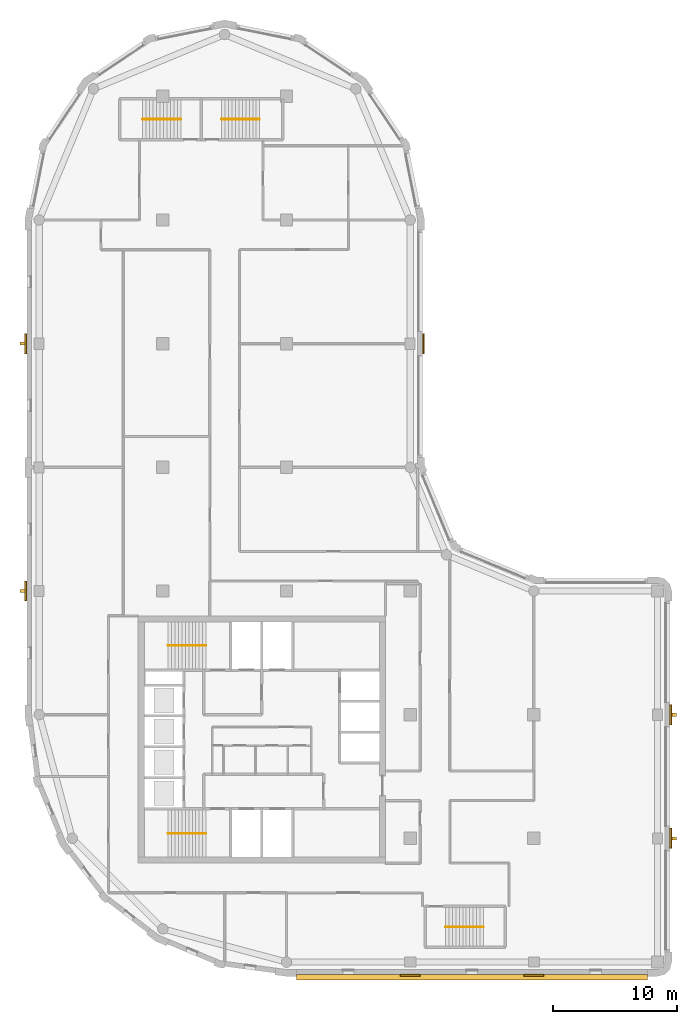
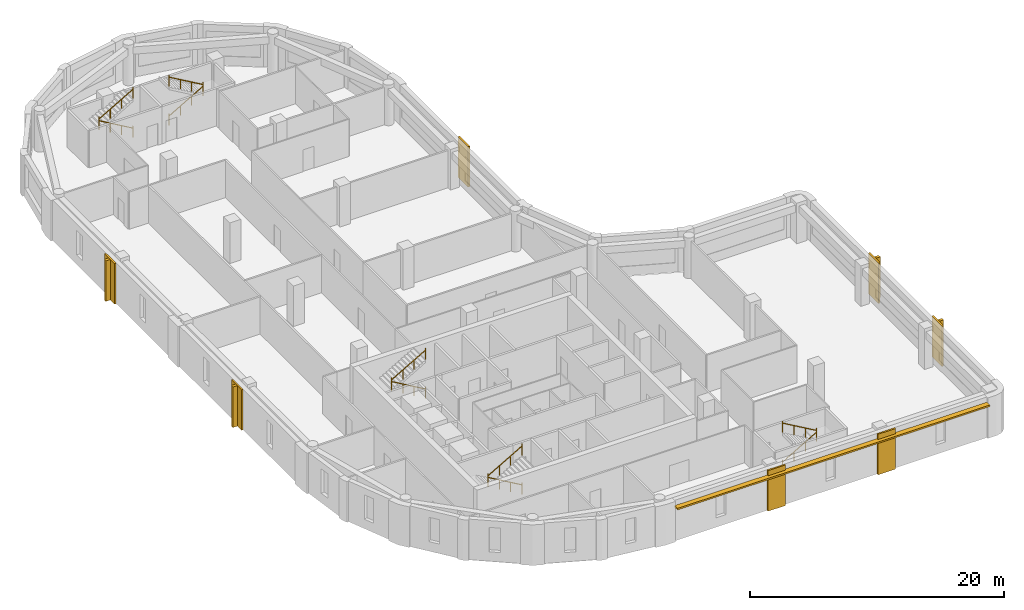
# One storey, part 8 of 9: 10 railings, 7 coverings, 5 shading devices.
"""IFC4 building model written with IfcOpenShell, lengths in metres."""

import ifcopenshell
import ifcopenshell.guid

model = None  # the IFC model being written
_history = None  # IfcOwnerHistory: only IFC2X3 demands one
_inside = {}  # id of a spatial element -> (the spatial element, [elements in it])
_under = {}  # id of a project, library or spatial element -> (it, [spatial elements below it])
_declared = {}  # id of a project -> (the project, [libraries it declares])
_typed = {}  # id of a type object -> (the type object, [elements of that type])
_made_of = {}  # id of a material, layer set ... -> (it, [elements and type objects made of it])


def new_model(schema):
    """Start an empty IFC model of exactly this schema.

    Asked for "IFC4X3", IfcOpenShell would pick the latest addendum, in which some entities
    have other attributes; the version numbers below select the first issue.
    IFC2X3 requires an IfcOwnerHistory on every rooted entity: one is made here for all.
    """
    global model, _history
    if schema == "IFC4X3":
        model = ifcopenshell.file(schema_version=(4, 3, 0, 0))
    else:
        model = ifcopenshell.file(schema=schema)
    _inside.clear()
    _under.clear()
    _declared.clear()
    _typed.clear()
    _made_of.clear()
    _history = None
    if model.schema == "IFC2X3":
        org = make("IfcOrganization", Name="unknown")
        user = make(
            "IfcPersonAndOrganization",
            ThePerson=make("IfcPerson", FamilyName="unknown"),
            TheOrganization=org,
        )
        app = make(
            "IfcApplication",
            ApplicationDeveloper=org,
            Version="unknown",
            ApplicationFullName="unknown",
            ApplicationIdentifier="unknown",
        )
        _history = make(
            "IfcOwnerHistory",
            OwningUser=user,
            OwningApplication=app,
            ChangeAction="ADDED",
            CreationDate=0,
        )
    return model


def make(cls, **values):
    """One entity of the class cls with the attributes given. An attribute that is None is left unset."""
    return model.create_entity(
        cls, **{name: value for name, value in values.items() if value is not None}
    )


def rooted(cls, **values):
    """An entity with a GlobalId (a new one), such as an element, a storey or a relation."""
    return make(cls, GlobalId=ifcopenshell.guid.new(), OwnerHistory=_history, **values)


def si_unit(unit_type, name, prefix=None):
    """IfcSIUnit, for example si_unit("LENGTHUNIT", "METRE", prefix="MILLI")."""
    return make("IfcSIUnit", UnitType=unit_type, Prefix=prefix, Name=name)


def assignment(units):
    """IfcUnitAssignment: the units of a project."""
    return None if units is None else make("IfcUnitAssignment", Units=units)


def point(xyz):
    """IfcCartesianPoint."""
    return None if xyz is None else make("IfcCartesianPoint", Coordinates=xyz)


def direction(xyz):
    """IfcDirection."""
    return None if xyz is None else make("IfcDirection", DirectionRatios=xyz)


def frame(location, z_axis=None, x_axis=None):
    """IfcAxis2Placement3D, a coordinate frame: its origin and axes. An axis left out is left unset."""
    return make(
        "IfcAxis2Placement3D",
        Location=point(location),
        Axis=direction(z_axis),
        RefDirection=direction(x_axis),
    )


def frame_2d(location, x_axis=None):
    """IfcAxis2Placement2D, a coordinate frame in the plane: its origin and x axis."""
    return make(
        "IfcAxis2Placement2D", Location=point(location), RefDirection=direction(x_axis)
    )


def origin():
    """The frame at (0, 0, 0) with its axes left unset."""
    return frame((0.0, 0.0, 0.0))


def origin_2d():
    """The frame at (0, 0) in the plane with its x axis left unset."""
    return frame_2d((0.0, 0.0))


def place(relative_to, where):
    """IfcLocalPlacement: puts the frame where relative to a parent placement (None: the world)."""
    return make(
        "IfcLocalPlacement", PlacementRelTo=relative_to, RelativePlacement=where
    )


def context(
    kind, dimensions, precision=None, world=None, true_north=None, identifier=None
):
    """IfcGeometricRepresentationContext, for example the 3D "Model" context."""
    return make(
        "IfcGeometricRepresentationContext",
        ContextIdentifier=identifier,
        ContextType=kind,
        CoordinateSpaceDimension=dimensions,
        Precision=precision,
        WorldCoordinateSystem=world,
        TrueNorth=true_north,
    )


def subcontext(parent, identifier, kind, view, scale=None):
    """IfcGeometricRepresentationSubContext, for example "Body" below "Model"."""
    return make(
        "IfcGeometricRepresentationSubContext",
        ContextIdentifier=identifier,
        ContextType=kind,
        ParentContext=parent,
        TargetScale=scale,
        TargetView=view,
    )


def project(units=None, contexts=None):
    """IfcProject with its units and contexts."""
    return rooted(
        "IfcProject",
        Name="project",
        RepresentationContexts=contexts,
        UnitsInContext=assignment(units),
    )


def spatial(cls, under=None, at=None, **own):
    """A site, building, storey or space (cls), placed at a placement, below another one or the project."""
    s = rooted(cls, ObjectPlacement=at, **own)
    if under is not None:
        _under.setdefault(under.id(), (under, []))[1].append(s)
    return s


def polyline(points):
    """IfcPolyline through the points."""
    return make("IfcPolyline", Points=[point(p) for p in points])


def profile(cls, at=None, kind="AREA", **sizes):
    """A parametric profile (cls). Its sizes go by their IFC names, for example OverallWidth=200.0."""
    return make(cls, ProfileType=kind, Position=at, **sizes)


def rectangle(**sizes):
    """IfcRectangleProfileDef."""
    return profile("IfcRectangleProfileDef", **sizes)


def circle(**sizes):
    """IfcCircleProfileDef."""
    return profile("IfcCircleProfileDef", **sizes)


def outline(outer, holes=None, kind="AREA"):
    """IfcArbitraryClosedProfileDef: a profile drawn as a closed curve; with holes, ...WithVoids."""
    if holes is None:
        return make("IfcArbitraryClosedProfileDef", ProfileType=kind, OuterCurve=outer)
    return make(
        "IfcArbitraryProfileDefWithVoids",
        ProfileType=kind,
        OuterCurve=outer,
        InnerCurves=holes,
    )


def extrude(swept, where, along, depth):
    """IfcExtrudedAreaSolid: the profile swept, set in the frame where, extruded along a direction by depth."""
    return make(
        "IfcExtrudedAreaSolid",
        SweptArea=swept,
        Position=where,
        ExtrudedDirection=direction(along),
        Depth=depth,
    )


def shape(context_of_items, identifier, shape_type, items):
    """IfcShapeRepresentation: the items that make up one representation, for example the "Body"."""
    return make(
        "IfcShapeRepresentation",
        ContextOfItems=context_of_items,
        RepresentationIdentifier=identifier,
        RepresentationType=shape_type,
        Items=items,
    )


def material(Name=None, Category=None):
    """IfcMaterial."""
    return make("IfcMaterial", Name=Name, Category=Category)


def layer(
    of_material, thickness, ventilated=None, Name=None, Category=None, Priority=None
):
    """IfcMaterialLayer: one layer of a wall or slab, of a material (None: an air gap)."""
    return make(
        "IfcMaterialLayer",
        Material=of_material,
        LayerThickness=thickness,
        IsVentilated=ventilated,
        Name=Name,
        Category=Category,
        Priority=Priority,
    )


def layer_set(layers, Name=None):
    """IfcMaterialLayerSet."""
    return make("IfcMaterialLayerSet", MaterialLayers=layers, LayerSetName=Name)


def made_of(thing, what):
    """Note that an element or type object is made of a material, layer set ...; save() writes the relation."""
    if what is not None:
        _made_of.setdefault(what.id(), (what, []))[1].append(thing)
    return thing


def type_object(cls, material=None, **own):
    """A type object (cls), such as IfcWallType, which elements share."""
    return made_of(rooted(cls, **own), material)


def element(
    cls,
    number,
    at=None,
    inside=None,
    cuts=None,
    type_object=None,
    material=None,
    context=None,
    identifier="Body",
    shape_type=None,
    held_by="IfcProductDefinitionShape",
    body=None,
    shapes=None,
    **own,
):
    """One element of the class cls, such as IfcWall. Its Tag is "e" and its number.

    at: its placement. inside: the storey or other place that contains it. cuts: it is an
    opening in that element (IfcRelVoidsElement). A single representation is given by context,
    identifier, shape_type and body (its items); several are given by shapes. held_by: the class
    of the entity that holds the representations. save() writes the other relations.
    """
    e = rooted(cls, Tag="e%d" % number, ObjectPlacement=at, **own)
    if body is not None:
        shapes = [shape(context, identifier, shape_type, body)]
    if shapes is not None:
        e.Representation = make(held_by, Representations=shapes)
    if inside is not None:
        _inside.setdefault(inside.id(), (inside, []))[1].append(e)
    if cuts is not None:
        rooted(
            "IfcRelVoidsElement", RelatingBuildingElement=cuts, RelatedOpeningElement=e
        )
    if type_object is not None:
        _typed.setdefault(type_object.id(), (type_object, []))[1].append(e)
    return made_of(e, material)


def aggregate(whole, parts):
    """IfcRelAggregates: a whole, such as a stair, and the parts it consists of."""
    return rooted("IfcRelAggregates", RelatingObject=whole, RelatedObjects=parts)


def save(model, path):
    """Write the relations noted so far, then the file.

    IfcRelAggregates (storeys below a building ...), IfcRelContainedInSpatialStructure (elements
    in a storey), IfcRelDefinesByType, IfcRelAssociatesMaterial and IfcRelDeclares: one each for
    every whole, place, type object, material and project.
    """
    for whole, parts in _under.values():
        aggregate(whole, parts)
    for where, things in _inside.values():
        rooted(
            "IfcRelContainedInSpatialStructure",
            RelatedElements=things,
            RelatingStructure=where,
        )
    for kind, things in _typed.values():
        rooted("IfcRelDefinesByType", RelatedObjects=things, RelatingType=kind)
    for what, things in _made_of.values():
        rooted("IfcRelAssociatesMaterial", RelatedObjects=things, RelatingMaterial=what)
    for by, libraries in _declared.values():
        rooted("IfcRelDeclares", RelatingContext=by, RelatedDefinitions=libraries)
    model.write(path)


model = new_model("IFC4")

# Units and contexts
model_context = context("Model", 3, precision=1e-05, world=origin(), true_north=direction((0.0, 1.0)))
body_context = subcontext(model_context, "Body", "Model", "MODEL_VIEW")
ifc_project = project(units=[si_unit("LENGTHUNIT", "METRE"), si_unit("AREAUNIT", "SQUARE_METRE"), si_unit("VOLUMEUNIT", "CUBIC_METRE"), si_unit("PLANEANGLEUNIT", "RADIAN"), si_unit("MASSUNIT", "GRAM", prefix="KILO")], contexts=[model_context])

# Site, building, storey
site_placement = place(None, origin())
site = spatial("IfcSite", under=ifc_project, at=site_placement, CompositionType="ELEMENT")
building_placement = place(site_placement, origin())
building = spatial("IfcBuilding", under=site, at=building_placement, Name="Qaws Garden Tower", CompositionType="ELEMENT")
storey_placement = place(building_placement, frame((0.0, 0.0, 263.10009765625)))
storey = spatial("IfcBuildingStorey", under=building, at=storey_placement, Name="L63", CompositionType="ELEMENT", Elevation=263.10009765625)

# Coverings
ifc_material_1 = material(Name="Clay facing brick masonry", Category="masonry")
ifc_layer_1 = layer(ifc_material_1, 0.14990234375)
ifc_layer_set_1 = layer_set([ifc_layer_1], Name="Clay facing brick masonry")
covering_type = type_object("IfcCoveringType", Name="Brick pilaster facing 150 x 1600", PredefinedType="CLADDING", material=ifc_layer_set_1)
placement = place(storey_placement, origin())
element("IfcCovering", 1, at=placement, inside=storey, type_object=covering_type, Name="E-L63-pier-01", PredefinedType="CLADDING", context=body_context, shape_type="SweptSolid", body=[
    extrude(outline(polyline([(29.199951171875, -1.0), (30.800048828125, -1.0), (30.800048828125, -1.14990234375), (29.199951171875, -1.14990234375), (29.199951171875, -1.0)])), origin(), (0.0, 0.0, 1.0), 3.89990234375),
])
element("IfcCovering", 2, at=placement, inside=storey, type_object=covering_type, Name="E-L63-pier-02", PredefinedType="CLADDING", context=body_context, shape_type="SweptSolid", body=[
    extrude(outline(polyline([(39.199951171875, -1.0), (40.800048828125, -1.0), (40.800048828125, -1.14990234375), (39.199951171875, -1.14990234375), (39.199951171875, -1.0)])), origin(), (0.0, 0.0, 1.0), 3.89990234375),
])
element("IfcCovering", 3, at=placement, inside=storey, type_object=covering_type, Name="E-L63-pier-04", PredefinedType="CLADDING", context=body_context, shape_type="SweptSolid", body=[
    extrude(outline(polyline([(51.0, 9.199951171875), (51.0, 10.800048828125), (51.14990234375, 10.800048828125), (51.14990234375, 9.199951171875), (51.0, 9.199951171875)])), origin(), (0.0, 0.0, 1.0), 3.89990234375),
])
element("IfcCovering", 4, at=placement, inside=storey, type_object=covering_type, Name="E-L63-pier-05", PredefinedType="CLADDING", context=body_context, shape_type="SweptSolid", body=[
    extrude(outline(polyline([(51.0, 19.199951171875), (51.0, 20.800048828125), (51.14990234375, 20.800048828125), (51.14990234375, 19.199951171875), (51.0, 19.199951171875)])), origin(), (0.0, 0.0, 1.0), 3.89990234375),
])
element("IfcCovering", 5, at=placement, inside=storey, type_object=covering_type, Name="E-L63-pier-10", PredefinedType="CLADDING", context=body_context, shape_type="SweptSolid", body=[
    extrude(outline(polyline([(31.0, 49.199951171875), (31.0, 50.800048828125), (31.14990234375, 50.800048828125), (31.14990234375, 49.199951171875), (31.0, 49.199951171875)])), origin(), (0.0, 0.0, 1.0), 3.89990234375),
])
element("IfcCovering", 6, at=placement, inside=storey, type_object=covering_type, Name="E-L63-pier-20", PredefinedType="CLADDING", context=body_context, shape_type="SweptSolid", body=[
    extrude(outline(polyline([(-1.0, 50.800048828125), (-1.0, 49.199951171875), (-1.14990234375, 49.199951171875), (-1.14990234375, 50.800048828125), (-1.0, 50.800048828125)])), origin(), (0.0, 0.0, 1.0), 3.89990234375),
])
element("IfcCovering", 7, at=placement, inside=storey, type_object=covering_type, Name="E-L63-pier-22", PredefinedType="CLADDING", context=body_context, shape_type="SweptSolid", body=[
    extrude(outline(polyline([(-1.0, 30.800048828125), (-1.0, 29.199951171875), (-1.14990234375, 29.199951171875), (-1.14990234375, 30.800048828125), (-1.0, 30.800048828125)])), origin(), (0.0, 0.0, 1.0), 3.89990234375),
])

# Shading devices
ifc_material_2 = material(Name="Clay facing brick masonry", Category="masonry")
ifc_layer_2 = layer(ifc_material_2, 0.14990234375)
ifc_layer_set_2 = layer_set([ifc_layer_2], Name="Clay facing brick masonry")
shading_device_type_1 = type_object("IfcShadingDeviceType", Name="Brick sunshade band 450 x 150", PredefinedType="JALOUSIE", material=ifc_layer_set_2)
shading_device_placement = place(storey_placement, frame((0.0, 0.0, 3.25)))
element("IfcShadingDevice", 8, at=shading_device_placement, inside=storey, type_object=shading_device_type_1, Name="SUNSHADE 00", PredefinedType="JALOUSIE", context=body_context, shape_type="SweptSolid", body=[
    extrude(outline(polyline([(20.800048828125, -1.0), (20.800048828125, -1.449951171875), (49.199951171875, -1.449951171875), (49.199951171875, -1.0), (40.800048828125, -1.0), (40.800048828125, -1.14990234375), (39.199951171875, -1.14990234375), (39.199951171875, -1.0), (30.800048828125, -1.0), (30.800048828125, -1.14990234375), (29.199951171875, -1.14990234375), (29.199951171875, -1.0), (20.800048828125, -1.0)])), origin(), (0.0, 0.0, 1.0), 0.14990234375),
])
ifc_material_3 = material(Name="Clay facing brick masonry", Category="masonry")
ifc_layer_3 = layer(ifc_material_3, 0.25)
ifc_layer_set_3 = layer_set([ifc_layer_3], Name="Clay facing brick masonry")
shading_device_type_2 = type_object("IfcShadingDeviceType", Name="Brick-faced fin 250 x 400", PredefinedType="USERDEFINED", material=ifc_layer_set_3)
for number, where, z_axis, x_axis, name in (
    (9, (51.35009765625, 10.0, 0.0), (0.0, 0.0, 1.0), (0.0, 1.0, 0.0), "FIN 04"),
    (10, (51.35009765625, 20.0, 0.0), (0.0, 0.0, 1.0), (0.0, 1.0, 0.0), "FIN 05"),
    (11, (-1.35009765625, 50.0, 0.0), (0.0, 0.0, 1.0), (0.0, -1.0, 0.0), "FIN 20"),
    (12, (-1.35009765625, 30.0, 0.0), (0.0, 0.0, 1.0), (0.0, -1.0, 0.0), "FIN 22"),
):
    element("IfcShadingDevice", number, at=place(storey_placement, frame(where, z_axis=z_axis, x_axis=x_axis)), inside=storey, type_object=shading_device_type_2, Name=name, ObjectType="FIN", PredefinedType="USERDEFINED", context=body_context, shape_type="SweptSolid", body=[
        extrude(rectangle(XDim=0.25, YDim=0.39990234375, at=origin_2d()), origin(), (0.0, 0.0, 1.0), 3.89990234375),
    ])

# Railings
ifc_material_4 = material(Name="Steel S355", Category="steel")
railing_type = type_object("IfcRailingType", Name="Stair handrail 900", PredefinedType="HANDRAIL", material=ifc_material_4)
railing_1_placement = place(storey_placement, frame((13.5, 10.39990234375, 0.162353515625)))
element("IfcRailing", 13, at=railing_1_placement, inside=storey, type_object=railing_type, Name="Stair 1 handrail", PredefinedType="HANDRAIL", context=body_context, shape_type="SweptSolid", body=[
    extrude(circle(Radius=0.02392578125, at=origin_2d()), frame((0.0, 0.0, 0.8759765625), z_axis=(-0.864890721111, 0.0, 0.501960198159), x_axis=(0.0, -1.0, 0.0)), (0.0, 0.0, 1.0), 3.561279296875),
    extrude(circle(Radius=0.02099609375, at=origin_2d()), origin(), (0.0, 0.0, 1.0), 1.06201171875),
    extrude(circle(Radius=0.02099609375, at=origin_2d()), frame((-1.026611328125, 0.0, 0.595947265625)), (0.0, 0.0, 1.0), 0.851806640625),
    extrude(circle(Radius=0.02099609375, at=origin_2d()), frame((-2.053466796875, 0.0, 1.191650390625)), (0.0, 0.0, 1.0), 0.851806640625),
    extrude(circle(Radius=0.02099609375, at=origin_2d()), frame((-3.080078125, 0.0, 1.78759765625)), (0.0, 0.0, 1.0), 1.06201171875),
])
railing_2_placement = place(storey_placement, frame((10.419921875, 10.39990234375, 2.1123046875)))
element("IfcRailing", 14, at=railing_2_placement, inside=storey, type_object=railing_type, Name="Stair 1 handrail", PredefinedType="HANDRAIL", context=body_context, shape_type="SweptSolid", body=[
    extrude(circle(Radius=0.02392578125, at=origin_2d()), frame((0.0, 0.0, 0.8759765625), z_axis=(0.864890721111, 0.0, 0.501960198159), x_axis=(0.0, 1.0, 0.0)), (0.0, 0.0, 1.0), 3.561279296875),
    extrude(circle(Radius=0.02099609375, at=origin_2d()), origin(), (0.0, 0.0, 1.0), 1.06201171875),
    extrude(circle(Radius=0.02099609375, at=origin_2d()), frame((1.026611328125, 0.0, 0.595947265625)), (0.0, 0.0, 1.0), 0.851806640625),
    extrude(circle(Radius=0.02099609375, at=origin_2d()), frame((2.053466796875, 0.0, 1.191650390625)), (0.0, 0.0, 1.0), 0.851806640625),
    extrude(circle(Radius=0.02099609375, at=origin_2d()), frame((3.080078125, 0.0, 1.78759765625)), (0.0, 0.0, 1.0), 1.06201171875),
])
railing_3_placement = place(storey_placement, frame((13.5, 25.60009765625, 0.162353515625)))
element("IfcRailing", 15, at=railing_3_placement, inside=storey, type_object=railing_type, Name="Stair 4 handrail", PredefinedType="HANDRAIL", context=body_context, shape_type="SweptSolid", body=[
    extrude(circle(Radius=0.02392578125, at=origin_2d()), frame((0.0, 0.0, 0.8759765625), z_axis=(-0.864890721111, 0.0, 0.501960198159), x_axis=(0.0, -1.0, 0.0)), (0.0, 0.0, 1.0), 3.561279296875),
    extrude(circle(Radius=0.02099609375, at=origin_2d()), origin(), (0.0, 0.0, 1.0), 1.06201171875),
    extrude(circle(Radius=0.02099609375, at=origin_2d()), frame((-1.026611328125, 0.0, 0.595947265625)), (0.0, 0.0, 1.0), 0.851806640625),
    extrude(circle(Radius=0.02099609375, at=origin_2d()), frame((-2.053466796875, 0.0, 1.191650390625)), (0.0, 0.0, 1.0), 0.851806640625),
    extrude(circle(Radius=0.02099609375, at=origin_2d()), frame((-3.080078125, 0.0, 1.78759765625)), (0.0, 0.0, 1.0), 1.06201171875),
])
railing_4_placement = place(storey_placement, frame((10.419921875, 25.60009765625, 2.1123046875)))
element("IfcRailing", 16, at=railing_4_placement, inside=storey, type_object=railing_type, Name="Stair 4 handrail", PredefinedType="HANDRAIL", context=body_context, shape_type="SweptSolid", body=[
    extrude(circle(Radius=0.02392578125, at=origin_2d()), frame((0.0, 0.0, 0.8759765625), z_axis=(0.864890721111, 0.0, 0.501960198159), x_axis=(0.0, 1.0, 0.0)), (0.0, 0.0, 1.0), 3.561279296875),
    extrude(circle(Radius=0.02099609375, at=origin_2d()), origin(), (0.0, 0.0, 1.0), 1.06201171875),
    extrude(circle(Radius=0.02099609375, at=origin_2d()), frame((1.026611328125, 0.0, 0.595947265625)), (0.0, 0.0, 1.0), 0.851806640625),
    extrude(circle(Radius=0.02099609375, at=origin_2d()), frame((2.053466796875, 0.0, 1.191650390625)), (0.0, 0.0, 1.0), 0.851806640625),
    extrude(circle(Radius=0.02099609375, at=origin_2d()), frame((3.080078125, 0.0, 1.78759765625)), (0.0, 0.0, 1.0), 1.06201171875),
])
railing_5_placement = place(storey_placement, frame((32.85009765625, 2.85009765625, 0.162353515625)))
element("IfcRailing", 17, at=railing_5_placement, inside=storey, type_object=railing_type, Name="Stair 5 handrail", PredefinedType="HANDRAIL", context=body_context, shape_type="SweptSolid", body=[
    extrude(circle(Radius=0.02392578125, at=origin_2d()), frame((0.0, 0.0, 0.8759765625), z_axis=(0.864873446163, 0.0, 0.501989962173), x_axis=(0.0, 1.0, 0.0)), (0.0, 0.0, 1.0), 3.56103515625),
    extrude(circle(Radius=0.02099609375, at=origin_2d()), origin(), (0.0, 0.0, 1.0), 1.06201171875),
    extrude(circle(Radius=0.02099609375, at=origin_2d()), frame((1.026611328125, 0.0, 0.595947265625)), (0.0, 0.0, 1.0), 0.851806640625),
    extrude(circle(Radius=0.02099609375, at=origin_2d()), frame((2.05322265625, 0.0, 1.191650390625)), (0.0, 0.0, 1.0), 0.851806640625),
    extrude(circle(Radius=0.02099609375, at=origin_2d()), frame((3.079833984375, 0.0, 1.78759765625)), (0.0, 0.0, 1.0), 1.06201171875),
])
for number, where, name in (
    (18, (35.929931640625, 2.85009765625, 2.1123046875), "Stair 5 handrail"),
    (19, (11.449951171875, 68.14990234375, 0.162353515625), "Stair 6 handrail"),
):
    element("IfcRailing", number, at=place(storey_placement, frame(where)), inside=storey, type_object=railing_type, Name=name, PredefinedType="HANDRAIL", context=body_context, shape_type="SweptSolid", body=[
        extrude(circle(Radius=0.02392578125, at=origin_2d()), frame((0.0, 0.0, 0.8759765625), z_axis=(-0.864873446163, 0.0, 0.501989962173), x_axis=(0.0, -1.0, 0.0)), (0.0, 0.0, 1.0), 3.56103515625),
        extrude(circle(Radius=0.02099609375, at=origin_2d()), origin(), (0.0, 0.0, 1.0), 1.06201171875),
        extrude(circle(Radius=0.02099609375, at=origin_2d()), frame((-1.026611328125, 0.0, 0.595947265625)), (0.0, 0.0, 1.0), 0.851806640625),
        extrude(circle(Radius=0.02099609375, at=origin_2d()), frame((-2.05322265625, 0.0, 1.191650390625)), (0.0, 0.0, 1.0), 0.851806640625),
        extrude(circle(Radius=0.02099609375, at=origin_2d()), frame((-3.079833984375, 0.0, 1.78759765625)), (0.0, 0.0, 1.0), 1.06201171875),
    ])
railing_6_placement = place(storey_placement, frame((8.3701171875, 68.14990234375, 2.1123046875)))
element("IfcRailing", 20, at=railing_6_placement, inside=storey, type_object=railing_type, Name="Stair 6 handrail", PredefinedType="HANDRAIL", context=body_context, shape_type="SweptSolid", body=[
    extrude(circle(Radius=0.02392578125, at=origin_2d()), frame((0.0, 0.0, 0.8759765625), z_axis=(0.864873446163, 0.0, 0.501989962173), x_axis=(0.0, 1.0, 0.0)), (0.0, 0.0, 1.0), 3.56103515625),
    extrude(circle(Radius=0.02099609375, at=origin_2d()), origin(), (0.0, 0.0, 1.0), 1.06201171875),
    extrude(circle(Radius=0.02099609375, at=origin_2d()), frame((1.026611328125, 0.0, 0.595947265625)), (0.0, 0.0, 1.0), 0.851806640625),
    extrude(circle(Radius=0.02099609375, at=origin_2d()), frame((2.05322265625, 0.0, 1.191650390625)), (0.0, 0.0, 1.0), 0.851806640625),
    extrude(circle(Radius=0.02099609375, at=origin_2d()), frame((3.079833984375, 0.0, 1.78759765625)), (0.0, 0.0, 1.0), 1.06201171875),
])
railing_7_placement = place(storey_placement, frame((14.75, 68.14990234375, 0.162353515625)))
element("IfcRailing", 21, at=railing_7_placement, inside=storey, type_object=railing_type, Name="Stair 7 handrail", PredefinedType="HANDRAIL", context=body_context, shape_type="SweptSolid", body=[
    extrude(circle(Radius=0.02392578125, at=origin_2d()), frame((0.0, 0.0, 0.8759765625), z_axis=(0.864890721111, 0.0, 0.501960198159), x_axis=(0.0, 1.0, 0.0)), (0.0, 0.0, 1.0), 3.561279296875),
    extrude(circle(Radius=0.02099609375, at=origin_2d()), origin(), (0.0, 0.0, 1.0), 1.06201171875),
    extrude(circle(Radius=0.02099609375, at=origin_2d()), frame((1.026611328125, 0.0, 0.595947265625)), (0.0, 0.0, 1.0), 0.851806640625),
    extrude(circle(Radius=0.02099609375, at=origin_2d()), frame((2.053466796875, 0.0, 1.191650390625)), (0.0, 0.0, 1.0), 0.851806640625),
    extrude(circle(Radius=0.02099609375, at=origin_2d()), frame((3.080078125, 0.0, 1.78759765625)), (0.0, 0.0, 1.0), 1.06201171875),
])
railing_8_placement = place(storey_placement, frame((17.830078125, 68.14990234375, 2.1123046875)))
element("IfcRailing", 22, at=railing_8_placement, inside=storey, type_object=railing_type, Name="Stair 7 handrail", PredefinedType="HANDRAIL", context=body_context, shape_type="SweptSolid", body=[
    extrude(circle(Radius=0.02392578125, at=origin_2d()), frame((0.0, 0.0, 0.8759765625), z_axis=(-0.864890721111, 0.0, 0.501960198159), x_axis=(0.0, -1.0, 0.0)), (0.0, 0.0, 1.0), 3.561279296875),
    extrude(circle(Radius=0.02099609375, at=origin_2d()), origin(), (0.0, 0.0, 1.0), 1.06201171875),
    extrude(circle(Radius=0.02099609375, at=origin_2d()), frame((-1.026611328125, 0.0, 0.595947265625)), (0.0, 0.0, 1.0), 0.851806640625),
    extrude(circle(Radius=0.02099609375, at=origin_2d()), frame((-2.053466796875, 0.0, 1.191650390625)), (0.0, 0.0, 1.0), 0.851806640625),
    extrude(circle(Radius=0.02099609375, at=origin_2d()), frame((-3.080078125, 0.0, 1.78759765625)), (0.0, 0.0, 1.0), 1.06201171875),
])

save(model, "model.ifc")
